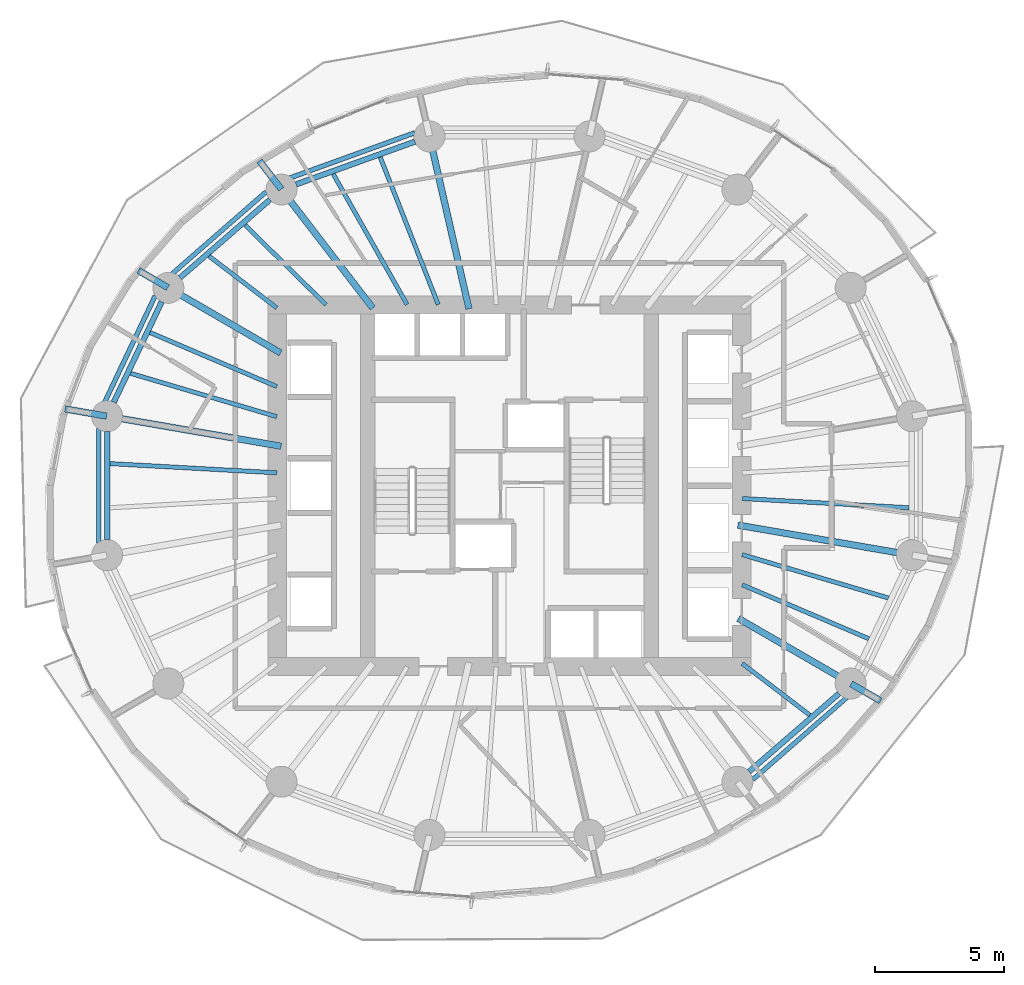
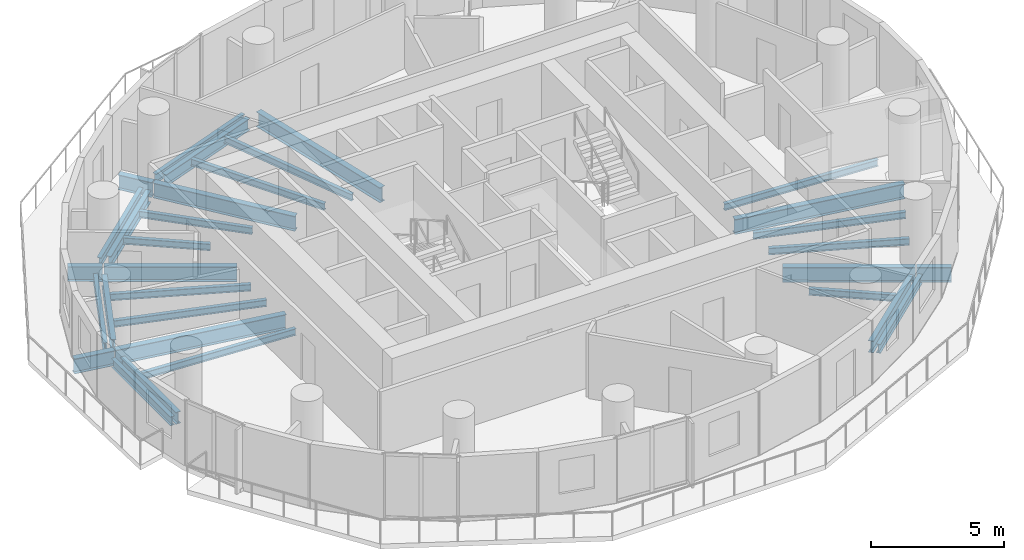
# One storey, part 3 of 14: 31 beams.
"""IFC4 building model written with IfcOpenShell, lengths in metres."""

from ifc_helpers import new_model, si_unit, direction, frame, origin, origin_2d, place, context, subcontext, project, spatial, i_section, extrude, material, material_profile, profile_set, type_object, element, save


model = new_model("IFC4")

# Units and contexts
model_context = context("Model", 3, precision=1e-05, world=origin(), true_north=direction((0.0, 1.0)))
body_context = subcontext(model_context, "Body", "Model", "MODEL_VIEW")
ifc_project = project(units=[si_unit("LENGTHUNIT", "METRE"), si_unit("AREAUNIT", "SQUARE_METRE"), si_unit("VOLUMEUNIT", "CUBIC_METRE"), si_unit("PLANEANGLEUNIT", "RADIAN"), si_unit("MASSUNIT", "GRAM", prefix="KILO")], contexts=[model_context])

# Site, building, storey
site_placement = place(None, origin())
site = spatial("IfcSite", under=ifc_project, at=site_placement, CompositionType="ELEMENT")
building_placement = place(site_placement, origin())
building = spatial("IfcBuilding", under=site, at=building_placement, Name="Veldorim Arch Residences", CompositionType="ELEMENT")
storey_placement = place(building_placement, frame((0.0, 0.0, 80.47998046875)))
storey = spatial("IfcBuildingStorey", under=building, at=storey_placement, Name="L23", CompositionType="ELEMENT", Elevation=80.47998046875)

# Beams
ifc_material_1 = material(Name="Steel S355", Category="steel")
ifc_material_profile_1 = material_profile(ifc_material_1, i_section(OverallWidth=0.2119140625, OverallDepth=0.54443359375, WebThickness=0.0126953125, FlangeThickness=0.021240234375, at=origin_2d()), Name="UB533x210x122")
ifc_profile_set_1 = profile_set([ifc_material_profile_1], Name="Steel S355")
beam_type_1 = type_object("IfcBeamType", Name="Structural Steel Beam UB533x210x122", PredefinedType="BEAM", material=ifc_profile_set_1)
beam_1_placement = place(storey_placement, frame((28.33349609375, 37.331787109375, -0.51220703125), z_axis=(-0.941041944493, -0.338289903343, 0.0), x_axis=(0.338289903343, -0.941041944493, 0.0)))
element("IfcBeam", 1, at=beam_1_placement, inside=storey, type_object=beam_type_1, Name="L23 perimeter ring tie beam 05", PredefinedType="BEAM", context=body_context, shape_type="SweptSolid", body=[
    extrude(i_section(OverallWidth=0.2119140625, OverallDepth=0.54443359375, WebThickness=0.0126953125, FlangeThickness=0.021240234375, at=origin_2d()), origin(), (0.0, 0.0, 1.0), 4.890869140625),
])
beam_2_placement = place(storey_placement, frame((22.71337890625, 35.0810546875, -0.51220703125), z_axis=(-0.755244952556, -0.655442645576, 0.0), x_axis=(0.655442645576, -0.755244952556, 0.0)))
element("IfcBeam", 2, at=beam_2_placement, inside=storey, type_object=beam_type_1, Name="L23 perimeter ring tie beam 06", PredefinedType="BEAM", context=body_context, shape_type="SweptSolid", body=[
    extrude(i_section(OverallWidth=0.2119140625, OverallDepth=0.54443359375, WebThickness=0.0126953125, FlangeThickness=0.021240234375, at=origin_2d()), origin(), (0.0, 0.0, 1.0), 4.608642578125),
])
beam_3_placement = place(storey_placement, frame((18.521240234375, 31.12548828125, -0.51220703125), z_axis=(-0.430720154476, -0.902485539235, 0.0), x_axis=(0.902485539235, -0.430720154476, 0.0)))
element("IfcBeam", 3, at=beam_3_placement, inside=storey, type_object=beam_type_1, Name="L23 perimeter ring tie beam 07", PredefinedType="BEAM", context=body_context, shape_type="SweptSolid", body=[
    extrude(i_section(OverallWidth=0.2119140625, OverallDepth=0.54443359375, WebThickness=0.0126953125, FlangeThickness=0.021240234375, at=origin_2d()), origin(), (0.0, 0.0, 1.0), 4.312255859375),
])
beam_4_placement = place(storey_placement, frame((16.405517578125, 26.09228515625, -0.51220703125), z_axis=(0.0, -1.0, 0.0), x_axis=(1.0, 0.0, 0.0)))
element("IfcBeam", 4, at=beam_4_placement, inside=storey, type_object=beam_type_1, Name="L23 perimeter ring tie beam 08", PredefinedType="BEAM", context=body_context, shape_type="SweptSolid", body=[
    extrude(i_section(OverallWidth=0.2119140625, OverallDepth=0.54443359375, WebThickness=0.0126953125, FlangeThickness=0.021240234375, at=origin_2d()), origin(), (0.0, 0.0, 1.0), 4.1845703125),
])
beam_5_placement = place(storey_placement, frame((41.28662109375, 12.9189453125, -0.51220703125), z_axis=(0.755244952556, 0.655442645576, 0.0), x_axis=(-0.655442645576, 0.755244952556, 0.0)))
element("IfcBeam", 5, at=beam_5_placement, inside=storey, type_object=beam_type_1, Name="L23 perimeter ring tie beam 14", PredefinedType="BEAM", context=body_context, shape_type="SweptSolid", body=[
    extrude(i_section(OverallWidth=0.2119140625, OverallDepth=0.54443359375, WebThickness=0.0126953125, FlangeThickness=0.021240234375, at=origin_2d()), origin(), (0.0, 0.0, 1.0), 4.608642578125),
])
ifc_material_2 = material(Name="Steel S355", Category="steel")
ifc_material_profile_2 = material_profile(ifc_material_2, i_section(OverallWidth=0.25439453125, OverallDepth=0.6875, WebThickness=0.01318359375, FlangeThickness=0.02099609375, at=origin_2d()), Name="UB686x254x152")
ifc_profile_set_2 = profile_set([ifc_material_profile_2], Name="Steel S355")
beam_type_2 = type_object("IfcBeamType", Name="Structural Steel GIRDER UB686x254x152", PredefinedType="USERDEFINED", material=ifc_profile_set_2)
beam_6_placement = place(storey_placement, frame((30.42919921875, 30.853759765625, -0.583740234375), z_axis=(-0.223374742148, 0.97473264261, 0.0), x_axis=(-0.97473264261, -0.223374742148, 0.0)))
element("IfcBeam", 6, at=beam_6_placement, inside=storey, type_object=beam_type_2, Name="L23 radial floor girder 05", ObjectType="GIRDER", PredefinedType="USERDEFINED", context=body_context, shape_type="SweptSolid", body=[
    extrude(i_section(OverallWidth=0.25439453125, OverallDepth=0.6875, WebThickness=0.01318359375, FlangeThickness=0.02099609375, at=origin_2d()), origin(), (0.0, 0.0, 1.0), 6.834228515625),
])
beam_7_placement = place(storey_placement, frame((26.702392578125, 30.881103515625, -0.583740234375), z_axis=(-0.609994628196, 0.792405548676, 0.0), x_axis=(-0.792405548676, -0.609994628196, 0.0)))
element("IfcBeam", 7, at=beam_7_placement, inside=storey, type_object=beam_type_2, Name="L23 radial floor girder 06", ObjectType="GIRDER", PredefinedType="USERDEFINED", context=body_context, shape_type="SweptSolid", body=[
    extrude(i_section(OverallWidth=0.25439453125, OverallDepth=0.6875, WebThickness=0.01318359375, FlangeThickness=0.02099609375, at=origin_2d()), origin(), (0.0, 0.0, 1.0), 5.776611328125),
])
beam_8_placement = place(storey_placement, frame((23.154296875, 35.489990234375, -0.583740234375), z_axis=(-0.609991800873, 0.792407725144, 0.0), x_axis=(-0.792407725144, -0.609991800873, 0.0)))
element("IfcBeam", 8, at=beam_8_placement, inside=storey, type_object=beam_type_2, Name="L23 radial edge cantilever girder 06", ObjectType="GIRDER", PredefinedType="USERDEFINED", context=body_context, shape_type="SweptSolid", body=[
    extrude(i_section(OverallWidth=0.25439453125, OverallDepth=0.6875, WebThickness=0.01318359375, FlangeThickness=0.02099609375, at=origin_2d()), origin(), (0.0, 0.0, 1.0), 1.38525390625),
])
beam_9_placement = place(storey_placement, frame((23.1298828125, 29.14404296875, -0.583740234375), z_axis=(-0.865048957682, 0.501687453314, 0.0), x_axis=(-0.501687453314, -0.865048957682, 0.0)))
element("IfcBeam", 9, at=beam_9_placement, inside=storey, type_object=beam_type_2, Name="L23 radial floor girder 07", ObjectType="GIRDER", PredefinedType="USERDEFINED", context=body_context, shape_type="SweptSolid", body=[
    extrude(i_section(OverallWidth=0.25439453125, OverallDepth=0.6875, WebThickness=0.01318359375, FlangeThickness=0.02099609375, at=origin_2d()), origin(), (0.0, 0.0, 1.0), 5.009033203125),
])
beam_10_placement = place(storey_placement, frame((18.76220703125, 31.677001953125, -0.583740234375), z_axis=(-0.865076091599, 0.501640663966, 0.0), x_axis=(-0.501640663966, -0.865076091599, 0.0)))
element("IfcBeam", 10, at=beam_10_placement, inside=storey, type_object=beam_type_2, Name="L23 radial edge cantilever girder 07", ObjectType="GIRDER", PredefinedType="USERDEFINED", context=body_context, shape_type="SweptSolid", body=[
    extrude(i_section(OverallWidth=0.25439453125, OverallDepth=0.6875, WebThickness=0.01318359375, FlangeThickness=0.02099609375, at=origin_2d()), origin(), (0.0, 0.0, 1.0), 1.3212890625),
])
beam_11_placement = place(storey_placement, frame((23.147705078125, 25.5283203125, -0.583740234375), z_axis=(-0.985426622718, 0.17010106184, 0.0), x_axis=(-0.17010106184, -0.985426622718, 0.0)))
element("IfcBeam", 11, at=beam_11_placement, inside=storey, type_object=beam_type_2, Name="L23 radial floor girder 08", ObjectType="GIRDER", PredefinedType="USERDEFINED", context=body_context, shape_type="SweptSolid", body=[
    extrude(i_section(OverallWidth=0.25439453125, OverallDepth=0.6875, WebThickness=0.01318359375, FlangeThickness=0.02099609375, at=origin_2d()), origin(), (0.0, 0.0, 1.0), 6.82177734375),
])
beam_12_placement = place(storey_placement, frame((16.3857421875, 26.695556640625, -0.583740234375), z_axis=(-0.985419516266, 0.170142225688, 0.0), x_axis=(-0.170142225688, -0.985419516266, 0.0)))
element("IfcBeam", 12, at=beam_12_placement, inside=storey, type_object=beam_type_2, Name="L23 radial edge cantilever girder 08", ObjectType="GIRDER", PredefinedType="USERDEFINED", context=body_context, shape_type="SweptSolid", body=[
    extrude(i_section(OverallWidth=0.25439453125, OverallDepth=0.6875, WebThickness=0.01318359375, FlangeThickness=0.02099609375, at=origin_2d()), origin(), (0.0, 0.0, 1.0), 1.633056640625),
])
beam_13_placement = place(storey_placement, frame((40.8701171875, 18.85595703125, -0.583740234375), z_axis=(0.865048957682, -0.501687453314, 0.0), x_axis=(0.501687453314, 0.865048957682, 0.0)))
element("IfcBeam", 13, at=beam_13_placement, inside=storey, type_object=beam_type_2, Name="L23 radial floor girder 15", ObjectType="GIRDER", PredefinedType="USERDEFINED", context=body_context, shape_type="SweptSolid", body=[
    extrude(i_section(OverallWidth=0.25439453125, OverallDepth=0.6875, WebThickness=0.01318359375, FlangeThickness=0.02099609375, at=origin_2d()), origin(), (0.0, 0.0, 1.0), 5.009033203125),
])
beam_14_placement = place(storey_placement, frame((45.23779296875, 16.322998046875, -0.583740234375), z_axis=(0.865076091599, -0.501640663966, 0.0), x_axis=(0.501640663966, 0.865076091599, 0.0)))
element("IfcBeam", 14, at=beam_14_placement, inside=storey, type_object=beam_type_2, Name="L23 radial edge cantilever girder 15", ObjectType="GIRDER", PredefinedType="USERDEFINED", context=body_context, shape_type="SweptSolid", body=[
    extrude(i_section(OverallWidth=0.25439453125, OverallDepth=0.6875, WebThickness=0.01318359375, FlangeThickness=0.02099609375, at=origin_2d()), origin(), (0.0, 0.0, 1.0), 1.3212890625),
])
beam_15_placement = place(storey_placement, frame((40.852294921875, 22.4716796875, -0.583740234375), z_axis=(0.985426622718, -0.17010106184, 0.0), x_axis=(0.17010106184, 0.985426622718, 0.0)))
element("IfcBeam", 15, at=beam_15_placement, inside=storey, type_object=beam_type_2, Name="L23 radial floor girder 16", ObjectType="GIRDER", PredefinedType="USERDEFINED", context=body_context, shape_type="SweptSolid", body=[
    extrude(i_section(OverallWidth=0.25439453125, OverallDepth=0.6875, WebThickness=0.01318359375, FlangeThickness=0.02099609375, at=origin_2d()), origin(), (0.0, 0.0, 1.0), 6.82177734375),
])
ifc_material_3 = material(Name="Steel S355", Category="steel")
ifc_material_profile_3 = material_profile(ifc_material_3, i_section(OverallWidth=0.165771484375, OverallDepth=0.306640625, WebThickness=0.006591796875, FlangeThickness=0.01171875, at=origin_2d()), Name="UB305x165x46")
ifc_profile_set_3 = profile_set([ifc_material_profile_3], Name="Steel S355")
beam_type_3 = type_object("IfcBeamType", Name="Structural Steel Joist UB305x165x46", PredefinedType="JOIST", material=ifc_profile_set_3)
beam_16_placement = place(storey_placement, frame((29.238037109375, 31.0185546875, -0.393310546875), z_axis=(-0.366194870364, 0.930538186707, 0.0), x_axis=(-0.930538186707, -0.366194870364, 0.0)))
element("IfcBeam", 16, at=beam_16_placement, inside=storey, type_object=beam_type_3, Name="L23 secondary radial floor joist 05-1", PredefinedType="JOIST", context=body_context, shape_type="SweptSolid", body=[
    extrude(i_section(OverallWidth=0.165771484375, OverallDepth=0.306640625, WebThickness=0.006591796875, FlangeThickness=0.01171875, at=origin_2d()), origin(), (0.0, 0.0, 1.0), 6.1396484375),
])
beam_17_placement = place(storey_placement, frame((28.03173828125, 31.017333984375, -0.393310546875), z_axis=(-0.492227411199, 0.870466642476, 0.0), x_axis=(-0.870466642476, -0.492227411199, 0.0)))
element("IfcBeam", 17, at=beam_17_placement, inside=storey, type_object=beam_type_3, Name="L23 secondary radial floor joist 05-2", PredefinedType="JOIST", context=body_context, shape_type="SweptSolid", body=[
    extrude(i_section(OverallWidth=0.165771484375, OverallDepth=0.306640625, WebThickness=0.006591796875, FlangeThickness=0.01171875, at=origin_2d()), origin(), (0.0, 0.0, 1.0), 5.81494140625),
])
beam_18_placement = place(storey_placement, frame((24.885986328125, 31.013916015625, -0.393310546875), z_axis=(-0.712111629941, 0.702066255066, 0.0), x_axis=(-0.702066255066, -0.712111629941, 0.0)))
element("IfcBeam", 18, at=beam_18_placement, inside=storey, type_object=beam_type_3, Name="L23 secondary radial floor joist 06-1", PredefinedType="JOIST", context=body_context, shape_type="SweptSolid", body=[
    extrude(i_section(OverallWidth=0.165771484375, OverallDepth=0.306640625, WebThickness=0.006591796875, FlangeThickness=0.01171875, at=origin_2d()), origin(), (0.0, 0.0, 1.0), 4.39892578125),
])
beam_19_placement = place(storey_placement, frame((22.984130859375, 30.888427734375, -0.393310546875), z_axis=(-0.794594763594, 0.60714014994, 0.0), x_axis=(-0.60714014994, -0.794594763594, 0.0)))
element("IfcBeam", 19, at=beam_19_placement, inside=storey, type_object=beam_type_3, Name="L23 secondary radial floor joist 06-2", PredefinedType="JOIST", context=body_context, shape_type="SweptSolid", body=[
    extrude(i_section(OverallWidth=0.165771484375, OverallDepth=0.306640625, WebThickness=0.006591796875, FlangeThickness=0.01171875, at=origin_2d()), origin(), (0.0, 0.0, 1.0), 3.30419921875),
])
beam_20_placement = place(storey_placement, frame((22.981689453125, 27.841552734375, -0.393310546875), z_axis=(-0.919997395122, 0.391924473552, 0.0), x_axis=(-0.391924473552, -0.919997395122, 0.0)))
element("IfcBeam", 20, at=beam_20_placement, inside=storey, type_object=beam_type_3, Name="L23 secondary radial floor joist 07-1", PredefinedType="JOIST", context=body_context, shape_type="SweptSolid", body=[
    extrude(i_section(OverallWidth=0.165771484375, OverallDepth=0.306640625, WebThickness=0.006591796875, FlangeThickness=0.01171875, at=origin_2d()), origin(), (0.0, 0.0, 1.0), 5.334716796875),
])
beam_21_placement = place(storey_placement, frame((22.980712890625, 26.673583984375, -0.393310546875), z_axis=(-0.958753061488, 0.284240333324, 0.0), x_axis=(-0.284240333324, -0.958753061488, 0.0)))
element("IfcBeam", 21, at=beam_21_placement, inside=storey, type_object=beam_type_3, Name="L23 secondary radial floor joist 07-2", PredefinedType="JOIST", context=body_context, shape_type="SweptSolid", body=[
    extrude(i_section(OverallWidth=0.165771484375, OverallDepth=0.306640625, WebThickness=0.006591796875, FlangeThickness=0.01171875, at=origin_2d()), origin(), (0.0, 0.0, 1.0), 5.906005859375),
])
beam_22_placement = place(storey_placement, frame((22.97998046875, 24.498291015625, -0.393310546875), z_axis=(-0.99847713097, 0.055167190702, 0.0), x_axis=(-0.055167190702, -0.99847713097, 0.0)))
element("IfcBeam", 22, at=beam_22_placement, inside=storey, type_object=beam_type_3, Name="L23 secondary radial floor joist 08-1", PredefinedType="JOIST", context=body_context, shape_type="SweptSolid", body=[
    extrude(i_section(OverallWidth=0.165771484375, OverallDepth=0.306640625, WebThickness=0.006591796875, FlangeThickness=0.01171875, at=origin_2d()), origin(), (0.0, 0.0, 1.0), 6.474365234375),
])
beam_23_placement = place(storey_placement, frame((41.015869140625, 17.111572265625, -0.393310546875), z_axis=(0.794594763594, -0.60714014994, 0.0), x_axis=(0.60714014994, 0.794594763594, 0.0)))
element("IfcBeam", 23, at=beam_23_placement, inside=storey, type_object=beam_type_3, Name="L23 secondary radial floor joist 14-2", PredefinedType="JOIST", context=body_context, shape_type="SweptSolid", body=[
    extrude(i_section(OverallWidth=0.165771484375, OverallDepth=0.306640625, WebThickness=0.006591796875, FlangeThickness=0.01171875, at=origin_2d()), origin(), (0.0, 0.0, 1.0), 3.30419921875),
])
beam_24_placement = place(storey_placement, frame((41.018310546875, 20.158447265625, -0.393310546875), z_axis=(0.919997395122, -0.391924473552, 0.0), x_axis=(0.391924473552, 0.919997395122, 0.0)))
element("IfcBeam", 24, at=beam_24_placement, inside=storey, type_object=beam_type_3, Name="L23 secondary radial floor joist 15-1", PredefinedType="JOIST", context=body_context, shape_type="SweptSolid", body=[
    extrude(i_section(OverallWidth=0.165771484375, OverallDepth=0.306640625, WebThickness=0.006591796875, FlangeThickness=0.01171875, at=origin_2d()), origin(), (0.0, 0.0, 1.0), 5.334716796875),
])
beam_25_placement = place(storey_placement, frame((41.019287109375, 21.326416015625, -0.393310546875), z_axis=(0.958753061488, -0.284240333324, 0.0), x_axis=(0.284240333324, 0.958753061488, 0.0)))
element("IfcBeam", 25, at=beam_25_placement, inside=storey, type_object=beam_type_3, Name="L23 secondary radial floor joist 15-2", PredefinedType="JOIST", context=body_context, shape_type="SweptSolid", body=[
    extrude(i_section(OverallWidth=0.165771484375, OverallDepth=0.306640625, WebThickness=0.006591796875, FlangeThickness=0.01171875, at=origin_2d()), origin(), (0.0, 0.0, 1.0), 5.906005859375),
])
beam_26_placement = place(storey_placement, frame((41.02001953125, 23.501708984375, -0.393310546875), z_axis=(0.99847713097, -0.055167190702, 0.0), x_axis=(0.055167190702, 0.99847713097, 0.0)))
element("IfcBeam", 26, at=beam_26_placement, inside=storey, type_object=beam_type_3, Name="L23 secondary radial floor joist 16-1", PredefinedType="JOIST", context=body_context, shape_type="SweptSolid", body=[
    extrude(i_section(OverallWidth=0.165771484375, OverallDepth=0.306640625, WebThickness=0.006591796875, FlangeThickness=0.01171875, at=origin_2d()), origin(), (0.0, 0.0, 1.0), 6.474365234375),
])
ifc_material_4 = material(Name="Steel S355", Category="steel")
ifc_material_profile_4 = material_profile(ifc_material_4, i_section(OverallWidth=0.1787109375, OverallDepth=0.409423828125, WebThickness=0.0087890625, FlangeThickness=0.014404296875, at=origin_2d()), Name="UB406x178x67")
ifc_profile_set_4 = profile_set([ifc_material_profile_4], Name="Steel S355")
beam_type_4 = type_object("IfcBeamType", Name="Structural Steel Spandrel UB406x178x67", PredefinedType="SPANDREL", material=ifc_profile_set_4)
beam_27_placement = place(storey_placement, frame((28.327880859375, 37.6767578125, -0.464599609375), z_axis=(-0.940307501418, -0.340326024244, 0.0), x_axis=(0.340326024244, -0.940307501418, 0.0)))
element("IfcBeam", 27, at=beam_27_placement, inside=storey, type_object=beam_type_4, Name="L23 perimeter chord spandrel beam 05", PredefinedType="SPANDREL", context=body_context, shape_type="SweptSolid", body=[
    extrude(i_section(OverallWidth=0.1787109375, OverallDepth=0.409423828125, WebThickness=0.0087890625, FlangeThickness=0.014404296875, at=origin_2d()), origin(), (0.0, 0.0, 1.0), 5.175048828125),
])
beam_28_placement = place(storey_placement, frame((22.5673828125, 35.388427734375, -0.464599609375), z_axis=(-0.753323239074, -0.65765043714, 0.0), x_axis=(0.65765043714, -0.753323239074, 0.0)))
element("IfcBeam", 28, at=beam_28_placement, inside=storey, type_object=beam_type_4, Name="L23 perimeter chord spandrel beam 06", PredefinedType="SPANDREL", context=body_context, shape_type="SweptSolid", body=[
    extrude(i_section(OverallWidth=0.1787109375, OverallDepth=0.409423828125, WebThickness=0.0087890625, FlangeThickness=0.014404296875, at=origin_2d()), origin(), (0.0, 0.0, 1.0), 4.879150390625),
])
beam_29_placement = place(storey_placement, frame((18.267578125, 31.35546875, -0.464599609375), z_axis=(-0.428857472204, -0.903372165021, 0.0), x_axis=(0.903372165021, -0.428857472204, 0.0)))
element("IfcBeam", 29, at=beam_29_placement, inside=storey, type_object=beam_type_4, Name="L23 perimeter chord spandrel beam 07", PredefinedType="SPANDREL", context=body_context, shape_type="SweptSolid", body=[
    extrude(i_section(OverallWidth=0.1787109375, OverallDepth=0.409423828125, WebThickness=0.0087890625, FlangeThickness=0.014404296875, at=origin_2d()), origin(), (0.0, 0.0, 1.0), 4.572021484375),
])
beam_30_placement = place(storey_placement, frame((16.080322265625, 26.22021484375, -0.464599609375), z_axis=(0.0, -1.0, 0.0), x_axis=(1.0, 0.0, 0.0)))
element("IfcBeam", 30, at=beam_30_placement, inside=storey, type_object=beam_type_4, Name="L23 perimeter chord spandrel beam 08", PredefinedType="SPANDREL", context=body_context, shape_type="SweptSolid", body=[
    extrude(i_section(OverallWidth=0.1787109375, OverallDepth=0.409423828125, WebThickness=0.0087890625, FlangeThickness=0.014404296875, at=origin_2d()), origin(), (0.0, 0.0, 1.0), 4.4404296875),
])
beam_31_placement = place(storey_placement, frame((41.4326171875, 12.611572265625, -0.464599609375), z_axis=(0.753323239074, 0.65765043714, 0.0), x_axis=(-0.65765043714, 0.753323239074, 0.0)))
element("IfcBeam", 31, at=beam_31_placement, inside=storey, type_object=beam_type_4, Name="L23 perimeter chord spandrel beam 14", PredefinedType="SPANDREL", context=body_context, shape_type="SweptSolid", body=[
    extrude(i_section(OverallWidth=0.1787109375, OverallDepth=0.409423828125, WebThickness=0.0087890625, FlangeThickness=0.014404296875, at=origin_2d()), origin(), (0.0, 0.0, 1.0), 4.879150390625),
])

save(model, "model.ifc")
